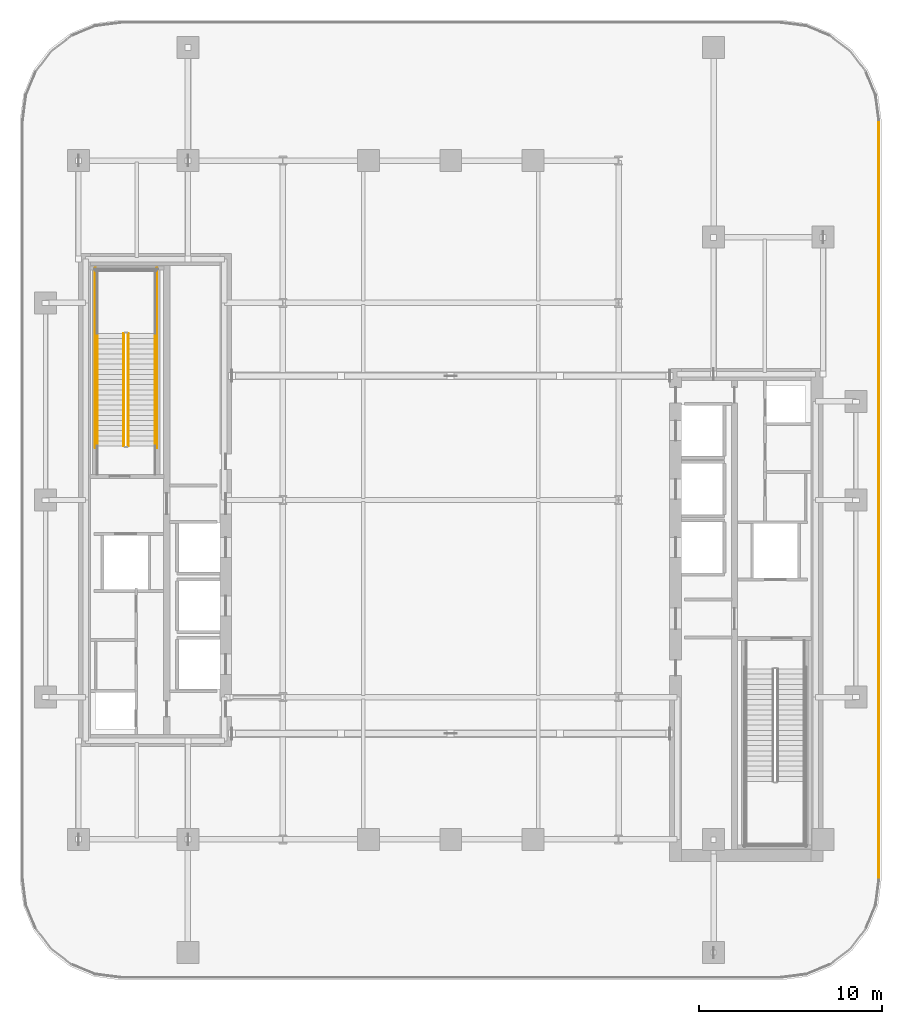
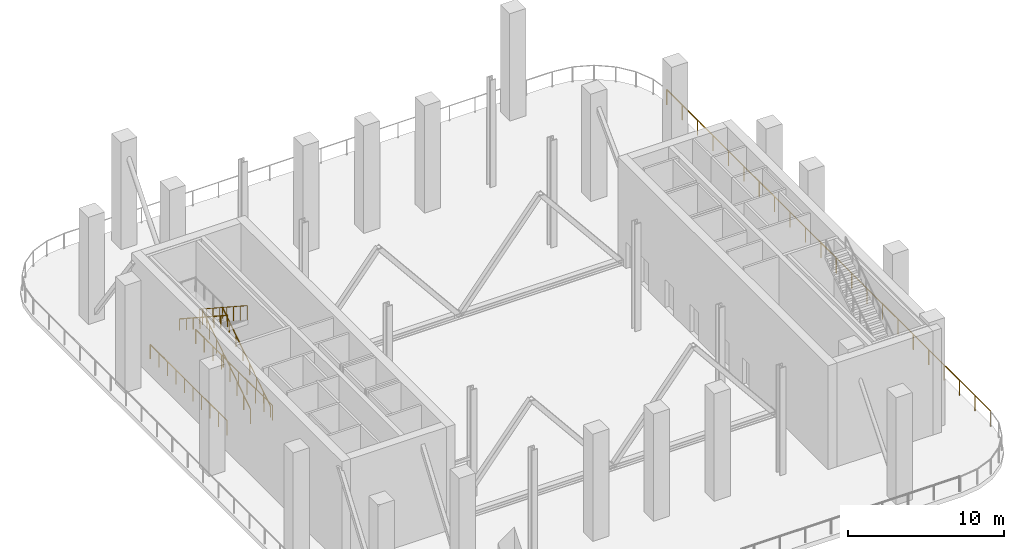
# One storey, part 11 of 13: 7 railings.
"""IFC4 building model written with IfcOpenShell, lengths in metres."""

from ifc_helpers import new_model, si_unit, direction, frame, origin, origin_2d, place, context, subcontext, project, spatial, circle, extrude, material, type_object, element, save


model = new_model("IFC4")

# Units and contexts
model_context = context("Model", 3, precision=1e-05, world=origin(), true_north=direction((0.0, 1.0)))
body_context = subcontext(model_context, "Body", "Model", "MODEL_VIEW")
ifc_project = project(units=[si_unit("LENGTHUNIT", "METRE"), si_unit("AREAUNIT", "SQUARE_METRE"), si_unit("VOLUMEUNIT", "CUBIC_METRE"), si_unit("PLANEANGLEUNIT", "RADIAN"), si_unit("MASSUNIT", "GRAM", prefix="KILO")], contexts=[model_context])

# Site, building, storey
site_placement = place(None, origin())
site = spatial("IfcSite", under=ifc_project, at=site_placement, CompositionType="ELEMENT")
building_placement = place(site_placement, origin())
building = spatial("IfcBuilding", under=site, at=building_placement, Name="Khairoan Windgate Tower", CompositionType="ELEMENT")
storey_placement = place(building_placement, frame((0.0, 0.0, 152.0)))
storey = spatial("IfcBuildingStorey", under=building, at=storey_placement, Name="L35", CompositionType="ELEMENT", Elevation=152.0)

# Railings
ifc_material_1 = material(Name="Anodised Bronze Aluminium 6063-T6", Category="aluminium")
railing_type_1 = type_object("IfcRailingType", Name="Aerodynamic Bronze-and-Glass Balustrade BAL-1200", PredefinedType="BALUSTRADE", material=ifc_material_1)
railing_1_placement = place(storey_placement, frame((23.4599609375, 20.765869140625, 0.0)))
element("IfcRailing", 1, at=railing_1_placement, inside=storey, type_object=railing_type_1, Name="L35 Wind-Slot Portal Perimeter Balustrade 22", PredefinedType="BALUSTRADE", context=body_context, shape_type="SweptSolid", body=[
    extrude(circle(Radius=0.02392578125, at=origin_2d()), frame((0.0, 0.0, 1.17578125), z_axis=(0.0, -1.0, 0.0), x_axis=(1.0, 0.0, 0.0)), (0.0, 0.0, 1.0), 41.53173828125),
    extrude(circle(Radius=0.02099609375, at=origin_2d()), origin(), (0.0, 0.0, 1.0), 1.15185546875),
    extrude(circle(Radius=0.02099609375, at=origin_2d()), frame((0.0, -1.977783203125, 0.0)), (0.0, 0.0, 1.0), 1.15185546875),
    extrude(circle(Radius=0.02099609375, at=origin_2d()), frame((0.0, -3.955322265625, 0.0)), (0.0, 0.0, 1.0), 1.15185546875),
    extrude(circle(Radius=0.02099609375, at=origin_2d()), frame((0.0, -5.93310546875, 0.0)), (0.0, 0.0, 1.0), 1.15185546875),
    extrude(circle(Radius=0.02099609375, at=origin_2d()), frame((0.0, -7.910888671875, 0.0)), (0.0, 0.0, 1.0), 1.15185546875),
    extrude(circle(Radius=0.02099609375, at=origin_2d()), frame((0.0, -9.888427734375, 0.0)), (0.0, 0.0, 1.0), 1.15185546875),
    extrude(circle(Radius=0.02099609375, at=origin_2d()), frame((0.0, -11.8662109375, 0.0)), (0.0, 0.0, 1.0), 1.15185546875),
    extrude(circle(Radius=0.02099609375, at=origin_2d()), frame((0.0, -13.843994140625, 0.0)), (0.0, 0.0, 1.0), 1.15185546875),
    extrude(circle(Radius=0.02099609375, at=origin_2d()), frame((0.0, -15.821533203125, 0.0)), (0.0, 0.0, 1.0), 1.15185546875),
    extrude(circle(Radius=0.02099609375, at=origin_2d()), frame((0.0, -17.79931640625, 0.0)), (0.0, 0.0, 1.0), 1.15185546875),
    extrude(circle(Radius=0.02099609375, at=origin_2d()), frame((0.0, -19.777099609375, 0.0)), (0.0, 0.0, 1.0), 1.15185546875),
    extrude(circle(Radius=0.02099609375, at=origin_2d()), frame((0.0, -21.754638671875, 0.0)), (0.0, 0.0, 1.0), 1.15185546875),
    extrude(circle(Radius=0.02099609375, at=origin_2d()), frame((0.0, -23.732421875, 0.0)), (0.0, 0.0, 1.0), 1.15185546875),
    extrude(circle(Radius=0.02099609375, at=origin_2d()), frame((0.0, -25.710205078125, 0.0)), (0.0, 0.0, 1.0), 1.15185546875),
    extrude(circle(Radius=0.02099609375, at=origin_2d()), frame((0.0, -27.687744140625, 0.0)), (0.0, 0.0, 1.0), 1.15185546875),
    extrude(circle(Radius=0.02099609375, at=origin_2d()), frame((0.0, -29.66552734375, 0.0)), (0.0, 0.0, 1.0), 1.15185546875),
    extrude(circle(Radius=0.02099609375, at=origin_2d()), frame((0.0, -31.643310546875, 0.0)), (0.0, 0.0, 1.0), 1.15185546875),
    extrude(circle(Radius=0.02099609375, at=origin_2d()), frame((0.0, -33.620849609375, 0.0)), (0.0, 0.0, 1.0), 1.15185546875),
    extrude(circle(Radius=0.02099609375, at=origin_2d()), frame((0.0, -35.5986328125, 0.0)), (0.0, 0.0, 1.0), 1.15185546875),
    extrude(circle(Radius=0.02099609375, at=origin_2d()), frame((0.0, -37.576416015625, 0.0)), (0.0, 0.0, 1.0), 1.15185546875),
    extrude(circle(Radius=0.02099609375, at=origin_2d()), frame((0.0, -39.553955078125, 0.0)), (0.0, 0.0, 1.0), 1.15185546875),
    extrude(circle(Radius=0.02099609375, at=origin_2d()), frame((0.0, -41.53173828125, 0.0)), (0.0, 0.0, 1.0), 1.15185546875),
])
ifc_material_2 = material(Name="Anodised Bronze Aluminium 6063-T6", Category="aluminium")
railing_type_2 = type_object("IfcRailingType", Name="Stair Wall Handrail SHR-900", PredefinedType="HANDRAIL", material=ifc_material_2)
railing_2_placement = place(storey_placement, frame((-16.199951171875, 2.9599609375, 0.1826171875)))
element("IfcRailing", 2, at=railing_2_placement, inside=storey, type_object=railing_type_2, Name="L35 ST2 stair handrail 1", PredefinedType="HANDRAIL", context=body_context, shape_type="SweptSolid", body=[
    extrude(circle(Radius=0.02392578125, at=origin_2d()), frame((0.0, 0.0, 0.8759765625), z_axis=(0.0, 0.837620502894, 0.546252590961), x_axis=(-1.0, 0.0, 0.0)), (0.0, 0.0, 1.0), 7.354248046875),
    extrude(circle(Radius=0.02099609375, at=origin_2d()), origin(), (0.0, 0.0, 1.0), 0.851806640625),
    extrude(circle(Radius=0.02099609375, at=origin_2d()), frame((0.0, 0.880126953125, 0.573974609375)), (0.0, 0.0, 1.0), 0.851806640625),
    extrude(circle(Radius=0.02099609375, at=origin_2d()), frame((0.0, 1.760009765625, 1.147705078125)), (0.0, 0.0, 1.0), 0.851806640625),
    extrude(circle(Radius=0.02099609375, at=origin_2d()), frame((0.0, 2.64013671875, 1.7216796875)), (0.0, 0.0, 1.0), 0.851806640625),
    extrude(circle(Radius=0.02099609375, at=origin_2d()), frame((0.0, 3.52001953125, 2.295654296875)), (0.0, 0.0, 1.0), 0.851806640625),
    extrude(circle(Radius=0.02099609375, at=origin_2d()), frame((0.0, 4.400146484375, 2.86962890625)), (0.0, 0.0, 1.0), 0.851806640625),
    extrude(circle(Radius=0.02099609375, at=origin_2d()), frame((0.0, 5.280029296875, 3.443359375)), (0.0, 0.0, 1.0), 0.851806640625),
    extrude(circle(Radius=0.02099609375, at=origin_2d()), frame((0.0, 6.16015625, 4.017333984375)), (0.0, 0.0, 1.0), 0.851806640625),
])
railing_3_placement = place(storey_placement, frame((-19.3701171875, 9.1201171875, 4.382568359375)))
element("IfcRailing", 3, at=railing_3_placement, inside=storey, type_object=railing_type_2, Name="L35 ST2 stair handrail 2", PredefinedType="HANDRAIL", context=body_context, shape_type="SweptSolid", body=[
    extrude(circle(Radius=0.02392578125, at=origin_2d()), frame((0.0, 0.0, 0.8759765625), z_axis=(0.0, -0.837620502894, 0.546252590961), x_axis=(1.0, 0.0, 0.0)), (0.0, 0.0, 1.0), 7.354248046875),
    extrude(circle(Radius=0.02099609375, at=origin_2d()), origin(), (0.0, 0.0, 1.0), 0.851806640625),
    extrude(circle(Radius=0.02099609375, at=origin_2d()), frame((0.0, -0.880126953125, 0.573974609375)), (0.0, 0.0, 1.0), 0.851806640625),
    extrude(circle(Radius=0.02099609375, at=origin_2d()), frame((0.0, -1.760009765625, 1.147705078125)), (0.0, 0.0, 1.0), 0.851806640625),
    extrude(circle(Radius=0.02099609375, at=origin_2d()), frame((0.0, -2.64013671875, 1.7216796875)), (0.0, 0.0, 1.0), 0.851806640625),
    extrude(circle(Radius=0.02099609375, at=origin_2d()), frame((0.0, -3.52001953125, 2.295654296875)), (0.0, 0.0, 1.0), 0.851806640625),
    extrude(circle(Radius=0.02099609375, at=origin_2d()), frame((0.0, -4.400146484375, 2.86962890625)), (0.0, 0.0, 1.0), 0.851806640625),
    extrude(circle(Radius=0.02099609375, at=origin_2d()), frame((0.0, -5.280029296875, 3.443359375)), (0.0, 0.0, 1.0), 0.851806640625),
    extrude(circle(Radius=0.02099609375, at=origin_2d()), frame((0.0, -6.16015625, 4.017333984375)), (0.0, 0.0, 1.0), 0.851806640625),
])
ifc_material_3 = material(Name="Steel S355", Category="steel")
railing_type_3 = type_object("IfcRailingType", Name="Stairwell Safety Guardrail SGR-1150", PredefinedType="GUARDRAIL", material=ifc_material_3)
railing_4_placement = place(storey_placement, frame((-17.659912109375, 2.9599609375, 0.1826171875)))
element("IfcRailing", 4, at=railing_4_placement, inside=storey, type_object=railing_type_3, Name="L35 ST2 stair guard 1", PredefinedType="GUARDRAIL", context=body_context, shape_type="SweptSolid", body=[
    extrude(circle(Radius=0.02392578125, at=origin_2d()), frame((0.0, 0.0, 1.1259765625), z_axis=(0.0, 0.837620502894, 0.546252590961), x_axis=(-1.0, 0.0, 0.0)), (0.0, 0.0, 1.0), 7.354248046875),
    extrude(circle(Radius=0.02099609375, at=origin_2d()), origin(), (0.0, 0.0, 1.0), 1.101806640625),
    extrude(circle(Radius=0.02099609375, at=origin_2d()), frame((0.0, 0.880126953125, 0.573974609375)), (0.0, 0.0, 1.0), 1.101806640625),
    extrude(circle(Radius=0.02099609375, at=origin_2d()), frame((0.0, 1.760009765625, 1.147705078125)), (0.0, 0.0, 1.0), 1.101806640625),
    extrude(circle(Radius=0.02099609375, at=origin_2d()), frame((0.0, 2.64013671875, 1.7216796875)), (0.0, 0.0, 1.0), 1.101806640625),
    extrude(circle(Radius=0.02099609375, at=origin_2d()), frame((0.0, 3.52001953125, 2.295654296875)), (0.0, 0.0, 1.0), 1.101806640625),
    extrude(circle(Radius=0.02099609375, at=origin_2d()), frame((0.0, 4.400146484375, 2.86962890625)), (0.0, 0.0, 1.0), 1.101806640625),
    extrude(circle(Radius=0.02099609375, at=origin_2d()), frame((0.0, 5.280029296875, 3.443359375)), (0.0, 0.0, 1.0), 1.101806640625),
    extrude(circle(Radius=0.02099609375, at=origin_2d()), frame((0.0, 6.16015625, 4.017333984375)), (0.0, 0.0, 1.0), 1.101806640625),
])
railing_5_placement = place(storey_placement, frame((-17.909912109375, 9.1201171875, 4.382568359375)))
element("IfcRailing", 5, at=railing_5_placement, inside=storey, type_object=railing_type_3, Name="L35 ST2 stair guard 6", PredefinedType="GUARDRAIL", context=body_context, shape_type="SweptSolid", body=[
    extrude(circle(Radius=0.02392578125, at=origin_2d()), frame((0.0, 0.0, 1.1259765625), z_axis=(0.0, -0.837620502894, 0.546252590961), x_axis=(1.0, 0.0, 0.0)), (0.0, 0.0, 1.0), 7.354248046875),
    extrude(circle(Radius=0.02099609375, at=origin_2d()), origin(), (0.0, 0.0, 1.0), 1.101806640625),
    extrude(circle(Radius=0.02099609375, at=origin_2d()), frame((0.0, -0.880126953125, 0.573974609375)), (0.0, 0.0, 1.0), 1.101806640625),
    extrude(circle(Radius=0.02099609375, at=origin_2d()), frame((0.0, -1.760009765625, 1.147705078125)), (0.0, 0.0, 1.0), 1.101806640625),
    extrude(circle(Radius=0.02099609375, at=origin_2d()), frame((0.0, -2.64013671875, 1.7216796875)), (0.0, 0.0, 1.0), 1.101806640625),
    extrude(circle(Radius=0.02099609375, at=origin_2d()), frame((0.0, -3.52001953125, 2.295654296875)), (0.0, 0.0, 1.0), 1.101806640625),
    extrude(circle(Radius=0.02099609375, at=origin_2d()), frame((0.0, -4.400146484375, 2.86962890625)), (0.0, 0.0, 1.0), 1.101806640625),
    extrude(circle(Radius=0.02099609375, at=origin_2d()), frame((0.0, -5.280029296875, 3.443359375)), (0.0, 0.0, 1.0), 1.101806640625),
    extrude(circle(Radius=0.02099609375, at=origin_2d()), frame((0.0, -6.16015625, 4.017333984375)), (0.0, 0.0, 1.0), 1.101806640625),
])
for number, where, name in (
    (6, (-16.10009765625, 2.860107421875, 0.0), "L35 ST2 stair guard 10"),
    (7, (-19.469970703125, 2.860107421875, 0.0), "L35 ST2 stair guard 11"),
):
    element("IfcRailing", number, at=place(storey_placement, frame(where)), inside=storey, type_object=railing_type_3, Name=name, PredefinedType="GUARDRAIL", context=body_context, shape_type="SweptSolid", body=[
        extrude(circle(Radius=0.02392578125, at=origin_2d()), frame((0.0, 0.0, 1.1259765625), z_axis=(0.0, 1.0, 0.0), x_axis=(-1.0, 0.0, 0.0)), (0.0, 0.0, 1.0), 9.83984375),
        extrude(circle(Radius=0.02099609375, at=origin_2d()), origin(), (0.0, 0.0, 1.0), 1.101806640625),
        extrude(circle(Radius=0.02099609375, at=origin_2d()), frame((0.0, 1.09326171875, 0.0)), (0.0, 0.0, 1.0), 1.101806640625),
        extrude(circle(Radius=0.02099609375, at=origin_2d()), frame((0.0, 2.1865234375, 0.0)), (0.0, 0.0, 1.0), 1.101806640625),
        extrude(circle(Radius=0.02099609375, at=origin_2d()), frame((0.0, 3.280029296875, 0.0)), (0.0, 0.0, 1.0), 1.101806640625),
        extrude(circle(Radius=0.02099609375, at=origin_2d()), frame((0.0, 4.373291015625, 0.0)), (0.0, 0.0, 1.0), 1.101806640625),
        extrude(circle(Radius=0.02099609375, at=origin_2d()), frame((0.0, 5.466552734375, 0.0)), (0.0, 0.0, 1.0), 1.101806640625),
        extrude(circle(Radius=0.02099609375, at=origin_2d()), frame((0.0, 6.559814453125, 0.0)), (0.0, 0.0, 1.0), 1.101806640625),
        extrude(circle(Radius=0.02099609375, at=origin_2d()), frame((0.0, 7.6533203125, 0.0)), (0.0, 0.0, 1.0), 1.101806640625),
        extrude(circle(Radius=0.02099609375, at=origin_2d()), frame((0.0, 8.74658203125, 0.0)), (0.0, 0.0, 1.0), 1.101806640625),
        extrude(circle(Radius=0.02099609375, at=origin_2d()), frame((0.0, 9.83984375, 0.0)), (0.0, 0.0, 1.0), 1.101806640625),
    ])

save(model, "model.ifc")
